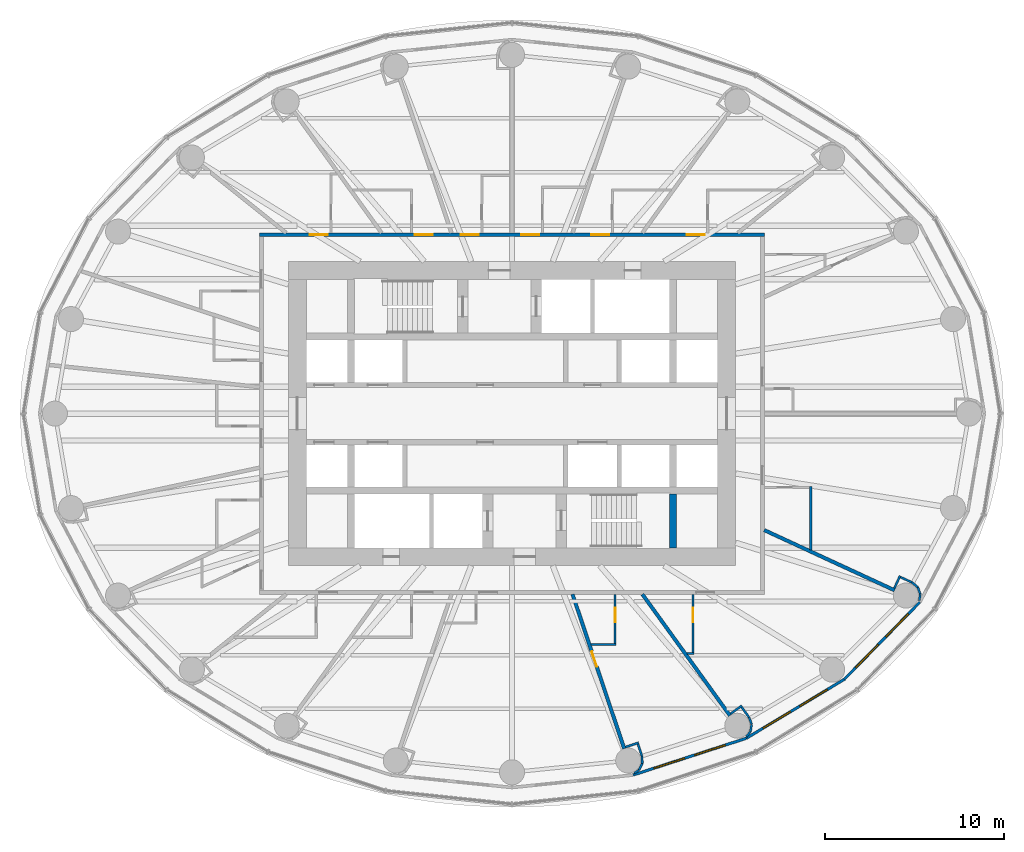
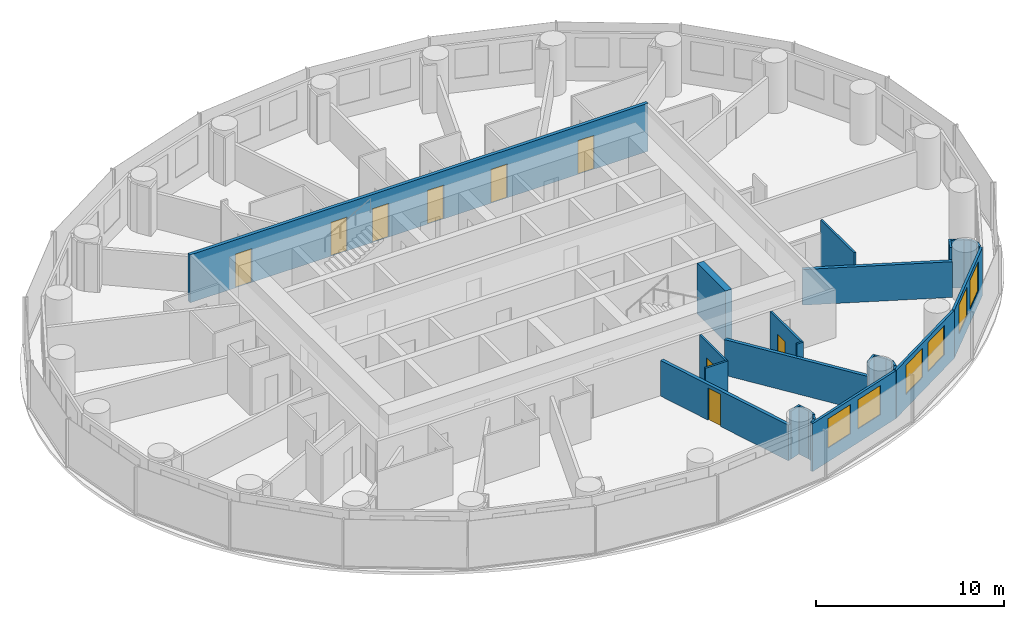
# One storey, part 9 of 13: 28 walls, 9 doors, 6 windows, 15 openings.
"""IFC4 building model written with IfcOpenShell, lengths in metres."""

from ifc_helpers import new_model, si_unit, direction, frame, frame_2d, origin, place, context, subcontext, project, spatial, rectangle, extrude, material, layer, layer_set, type_object, element, fill, save


model = new_model("IFC4")

# Units and contexts
model_context = context("Model", 3, precision=1e-05, world=origin(), true_north=direction((0.0, 1.0)))
body_context = subcontext(model_context, "Body", "Model", "MODEL_VIEW")
ifc_project = project(units=[si_unit("LENGTHUNIT", "METRE"), si_unit("AREAUNIT", "SQUARE_METRE"), si_unit("VOLUMEUNIT", "CUBIC_METRE"), si_unit("PLANEANGLEUNIT", "RADIAN"), si_unit("MASSUNIT", "GRAM", prefix="KILO")], contexts=[model_context])

# Site, building, storey
site_placement = place(None, origin())
site = spatial("IfcSite", under=ifc_project, at=site_placement, CompositionType="ELEMENT")
building_placement = place(site_placement, origin())
building = spatial("IfcBuilding", under=site, at=building_placement, Name="Hankou Lantern Tower", CompositionType="ELEMENT")
storey_placement = place(building_placement, frame((0.0, 0.0, 80.39990234375)))
storey = spatial("IfcBuildingStorey", under=building, at=storey_placement, Name="L20", CompositionType="ELEMENT", Elevation=80.39990234375)

# Wall
ifc_material_1 = material(Name="Concrete C60", Category="concrete")
ifc_layer_1 = layer(ifc_material_1, 0.39990234375)
ifc_layer_set_1 = layer_set([ifc_layer_1], Name="Concrete C60")
wall_type_1 = type_object("IfcWallType", Name="CW4 CORE CROSS WALL 400", PredefinedType="SHEAR", material=ifc_layer_set_1)
wall_1_placement = place(storey_placement, frame((9.0, -7.5, 0.0), z_axis=(0.0, 0.0, 1.0), x_axis=(0.0, 1.0, 0.0)))
element("IfcWall", 1, at=wall_1_placement, inside=storey, type_object=wall_type_1, Name="Core strip wall L20", PredefinedType="SHEAR", context=body_context, shape_type="SweptSolid", body=[
    extrude(rectangle(XDim=3.0, YDim=0.39990234375, at=frame_2d((1.5, 0.0))), origin(), (0.0, 0.0, 1.0), 3.300048828125),
])

# Wall, openings, windows
ifc_material_2 = material(Name="Aluminium spandrel panel on steel studs", Category="steel")
ifc_layer_2 = layer(ifc_material_2, 0.14990234375)
ifc_layer_set_2 = layer_set([ifc_layer_2], Name="Aluminium spandrel panel on steel studs")
wall_type_2 = type_object("IfcWallType", Name="EW1 INNER SKIN WALL 150", PredefinedType="ELEMENTEDWALL", material=ifc_layer_set_2)
wall_2_placement = place(storey_placement, frame((6.766357421875, -20.201904296875, 0.0), z_axis=(0.0, 0.0, 1.0), x_axis=(0.951137534625, 0.308767534285, 0.0)))
wall_2 = element("IfcWall", 2, at=wall_2_placement, inside=storey, type_object=wall_type_2, Name="Inner skin R20-R21 L20", PredefinedType="ELEMENTEDWALL", context=body_context, shape_type="SweptSolid", body=[
    extrude(rectangle(XDim=6.6552734375, YDim=0.14990234375, at=frame_2d((3.32763671875, 0.0))), origin(), (0.0, 0.0, 1.0), 3.1201171875),
])
opening_1_placement = place(wall_2_placement, frame((1.2275390625, 0.0, 0.89990234375)))
opening_1 = element("IfcOpeningElement", 3, at=opening_1_placement, cuts=wall_2, Name="Opening W1", PredefinedType="OPENING", context=body_context, shape_type="SweptSolid", body=[
    extrude(rectangle(XDim=1.800048828125, YDim=1.89990234375, at=frame_2d((0.89990234375, 0.949951171875))), frame((0.0, 0.0849609375, 0.0), z_axis=(0.0, -1.0, 0.0), x_axis=(1.0, 0.0, 0.0)), (0.0, 0.0, 1.0), 0.169921875),
])
opening_2_placement = place(wall_2_placement, frame((3.627685546875, 0.0, 0.89990234375)))
opening_2 = element("IfcOpeningElement", 4, at=opening_2_placement, cuts=wall_2, Name="Opening W1", PredefinedType="OPENING", context=body_context, shape_type="SweptSolid", body=[
    extrude(rectangle(XDim=1.800048828125, YDim=1.89990234375, at=frame_2d((0.89990234375, 0.949951171875))), frame((0.0, 0.0849609375, 0.0), z_axis=(0.0, -1.0, 0.0), x_axis=(1.0, 0.0, 0.0)), (0.0, 0.0, 1.0), 0.169921875),
])
ifc_material_3 = material(Name="Aluminium framed double glazed window", Category="aluminium")
window_type = type_object("IfcWindowType", Name="W1 GUEST ROOM WINDOW 1800X1900", PartitioningType="DOUBLE_PANEL_VERTICAL", PredefinedType="WINDOW", material=ifc_material_3)
window_1_placement = place(opening_1_placement, origin())
window_1 = element("IfcWindow", 5, at=window_1_placement, inside=storey, type_object=window_type, Name="Window R20.1 L20", OverallHeight=1.89990234375, OverallWidth=1.800048828125, PartitioningType="SINGLE_PANEL", PredefinedType="WINDOW", context=body_context, shape_type="SweptSolid", body=[
    extrude(rectangle(XDim=1.800048828125, YDim=1.89990234375, at=frame_2d((0.89990234375, 0.949951171875))), frame((0.0, 0.030029296875, 0.0), z_axis=(0.0, -1.0, 0.0), x_axis=(1.0, 0.0, 0.0)), (0.0, 0.0, 1.0), 0.06005859375),
])
fill(opening_1, window_1)
window_2_placement = place(opening_2_placement, origin())
window_2 = element("IfcWindow", 6, at=window_2_placement, inside=storey, type_object=window_type, Name="Window R20.2 L20", OverallHeight=1.89990234375, OverallWidth=1.800048828125, PartitioningType="SINGLE_PANEL", PredefinedType="WINDOW", context=body_context, shape_type="SweptSolid", body=[
    extrude(rectangle(XDim=1.800048828125, YDim=1.89990234375, at=frame_2d((0.89990234375, 0.949951171875))), frame((0.0, 0.030029296875, 0.0), z_axis=(0.0, -1.0, 0.0), x_axis=(1.0, 0.0, 0.0)), (0.0, 0.0, 1.0), 0.06005859375),
])
fill(opening_2, window_2)

wall_3_placement = place(storey_placement, frame((13.096435546875, -18.14697265625, 0.0), z_axis=(0.0, 0.0, 1.0), x_axis=(0.856983180864, 0.515344377787, 0.0)))
wall_3 = element("IfcWall", 7, at=wall_3_placement, inside=storey, type_object=wall_type_2, Name="Inner skin R21-R22 L20", PredefinedType="ELEMENTEDWALL", context=body_context, shape_type="SweptSolid", body=[
    extrude(rectangle(XDim=6.386474609375, YDim=0.14990234375, at=frame_2d((3.193359375, 0.0))), origin(), (0.0, 0.0, 1.0), 3.1201171875),
])
opening_3_placement = place(wall_3_placement, frame((1.09326171875, 0.0, 0.89990234375)))
opening_3 = element("IfcOpeningElement", 8, at=opening_3_placement, cuts=wall_3, Name="Opening W1", PredefinedType="OPENING", context=body_context, shape_type="SweptSolid", body=[
    extrude(rectangle(XDim=1.800048828125, YDim=1.89990234375, at=frame_2d((0.89990234375, 0.949951171875))), frame((0.0, 0.0849609375, 0.0), z_axis=(0.0, -1.0, 0.0), x_axis=(1.0, 0.0, 0.0)), (0.0, 0.0, 1.0), 0.169921875),
])
opening_4_placement = place(wall_3_placement, frame((3.4931640625, 0.0, 0.89990234375)))
opening_4 = element("IfcOpeningElement", 9, at=opening_4_placement, cuts=wall_3, Name="Opening W1", PredefinedType="OPENING", context=body_context, shape_type="SweptSolid", body=[
    extrude(rectangle(XDim=1.800048828125, YDim=1.89990234375, at=frame_2d((0.89990234375, 0.949951171875))), frame((0.0, 0.0849609375, 0.0), z_axis=(0.0, -1.0, 0.0), x_axis=(1.0, 0.0, 0.0)), (0.0, 0.0, 1.0), 0.169921875),
])
window_3_placement = place(opening_3_placement, origin())
window_3 = element("IfcWindow", 10, at=window_3_placement, inside=storey, type_object=window_type, Name="Window R21.1 L20", OverallHeight=1.89990234375, OverallWidth=1.800048828125, PartitioningType="SINGLE_PANEL", PredefinedType="WINDOW", context=body_context, shape_type="SweptSolid", body=[
    extrude(rectangle(XDim=1.800048828125, YDim=1.89990234375, at=frame_2d((0.89990234375, 0.949951171875))), frame((0.0, 0.030029296875, 0.0), z_axis=(0.0, -1.0, 0.0), x_axis=(1.0, 0.0, 0.0)), (0.0, 0.0, 1.0), 0.06005859375),
])
fill(opening_3, window_3)
window_4_placement = place(opening_4_placement, origin())
window_4 = element("IfcWindow", 11, at=window_4_placement, inside=storey, type_object=window_type, Name="Window R21.2 L20", OverallHeight=1.89990234375, OverallWidth=1.800048828125, PartitioningType="SINGLE_PANEL", PredefinedType="WINDOW", context=body_context, shape_type="SweptSolid", body=[
    extrude(rectangle(XDim=1.800048828125, YDim=1.89990234375, at=frame_2d((0.89990234375, 0.949951171875))), frame((0.0, 0.030029296875, 0.0), z_axis=(0.0, -1.0, 0.0), x_axis=(1.0, 0.0, 0.0)), (0.0, 0.0, 1.0), 0.06005859375),
])
fill(opening_4, window_4)

wall_4_placement = place(storey_placement, frame((18.569580078125, -14.855712890625, 0.0), z_axis=(0.0, 0.0, 1.0), x_axis=(0.699602905915, 0.714531856557, 0.0)))
wall_4 = element("IfcWall", 12, at=wall_4_placement, inside=storey, type_object=wall_type_2, Name="Inner skin R22-R23 L20", PredefinedType="ELEMENTEDWALL", context=body_context, shape_type="SweptSolid", body=[
    extrude(rectangle(XDim=6.05078125, YDim=0.14990234375, at=frame_2d((3.025390625, 0.0))), origin(), (0.0, 0.0, 1.0), 3.1201171875),
])
opening_5_placement = place(wall_4_placement, frame((0.925537109375, 0.0, 0.89990234375)))
opening_5 = element("IfcOpeningElement", 13, at=opening_5_placement, cuts=wall_4, Name="Opening W1", PredefinedType="OPENING", context=body_context, shape_type="SweptSolid", body=[
    extrude(rectangle(XDim=1.800048828125, YDim=1.89990234375, at=frame_2d((0.89990234375, 0.949951171875))), frame((0.0, 0.0849609375, 0.0), z_axis=(0.0, -1.0, 0.0), x_axis=(1.0, 0.0, 0.0)), (0.0, 0.0, 1.0), 0.169921875),
])
opening_6_placement = place(wall_4_placement, frame((3.325439453125, 0.0, 0.89990234375)))
opening_6 = element("IfcOpeningElement", 14, at=opening_6_placement, cuts=wall_4, Name="Opening W1", PredefinedType="OPENING", context=body_context, shape_type="SweptSolid", body=[
    extrude(rectangle(XDim=1.800048828125, YDim=1.89990234375, at=frame_2d((0.89990234375, 0.949951171875))), frame((0.0, 0.0849609375, 0.0), z_axis=(0.0, -1.0, 0.0), x_axis=(1.0, 0.0, 0.0)), (0.0, 0.0, 1.0), 0.169921875),
])
window_5_placement = place(opening_5_placement, origin())
window_5 = element("IfcWindow", 15, at=window_5_placement, inside=storey, type_object=window_type, Name="Window R22.1 L20", OverallHeight=1.89990234375, OverallWidth=1.800048828125, PartitioningType="SINGLE_PANEL", PredefinedType="WINDOW", context=body_context, shape_type="SweptSolid", body=[
    extrude(rectangle(XDim=1.800048828125, YDim=1.89990234375, at=frame_2d((0.89990234375, 0.949951171875))), frame((0.0, 0.030029296875, 0.0), z_axis=(0.0, -1.0, 0.0), x_axis=(1.0, 0.0, 0.0)), (0.0, 0.0, 1.0), 0.06005859375),
])
fill(opening_5, window_5)
window_6_placement = place(opening_6_placement, origin())
window_6 = element("IfcWindow", 16, at=window_6_placement, inside=storey, type_object=window_type, Name="Window R22.2 L20", OverallHeight=1.89990234375, OverallWidth=1.800048828125, PartitioningType="SINGLE_PANEL", PredefinedType="WINDOW", context=body_context, shape_type="SweptSolid", body=[
    extrude(rectangle(XDim=1.800048828125, YDim=1.89990234375, at=frame_2d((0.89990234375, 0.949951171875))), frame((0.0, 0.030029296875, 0.0), z_axis=(0.0, -1.0, 0.0), x_axis=(1.0, 0.0, 0.0)), (0.0, 0.0, 1.0), 0.06005859375),
])
fill(opening_6, window_6)

# Walls
ifc_material_4 = material(Name="Masonry lightweight concrete block", Category="masonry")
ifc_layer_3 = layer(ifc_material_4, 0.199951171875)
ifc_layer_set_3 = layer_set([ifc_layer_3], Name="Masonry lightweight concrete block")
wall_type_3 = type_object("IfcWallType", Name="IW1 GUEST ROOM PARTY WALL 200", PredefinedType="PARTITIONING", material=ifc_layer_set_3)
wall_5_placement = place(storey_placement, frame((7.2890625, -10.10009765625, 0.0), z_axis=(0.0, 0.0, 1.0), x_axis=(0.585198353053, -0.810890182197, 0.0)))
element("IfcWall", 17, at=wall_5_placement, inside=storey, type_object=wall_type_3, Name="Party wall R21", PredefinedType="PARTITIONING", context=body_context, shape_type="SweptSolid", body=[
    extrude(rectangle(XDim=8.359619140625, YDim=0.199951171875, at=frame_2d((4.1796875, 0.0))), origin(), (0.0, 0.0, 1.0), 2.320068359375),
])
wall_6_placement = place(storey_placement, frame((14.10009765625, -6.512451171875, 0.0), z_axis=(0.0, 0.0, 1.0), x_axis=(0.907832871056, -0.419332181247, 0.0)))
element("IfcWall", 18, at=wall_6_placement, inside=storey, type_object=wall_type_3, Name="Party wall R23", PredefinedType="PARTITIONING", context=body_context, shape_type="SweptSolid", body=[
    extrude(rectangle(XDim=8.02294921875, YDim=0.199951171875, at=frame_2d((4.011474609375, 0.0))), origin(), (0.0, 0.0, 1.0), 2.320068359375),
])

# Wall, openings, doors
ifc_material_5 = material(Name="Masonry lightweight concrete block", Category="masonry")
ifc_layer_4 = layer(ifc_material_5, 0.199951171875)
ifc_layer_set_4 = layer_set([ifc_layer_4], Name="Masonry lightweight concrete block")
wall_type_4 = type_object("IfcWallType", Name="IW2 CORRIDOR WALL 200", PredefinedType="PARTITIONING", material=ifc_layer_set_4)
wall_7_placement = place(storey_placement, frame((-14.10009765625, 10.0, 0.0), z_axis=(0.0, 0.0, 1.0), x_axis=(1.0, 0.0, 0.0)))
wall_7 = element("IfcWall", 19, at=wall_7_placement, inside=storey, type_object=wall_type_4, Name="Corridor wall north", PredefinedType="PARTITIONING", context=body_context, shape_type="SweptSolid", body=[
    extrude(rectangle(XDim=28.2001953125, YDim=0.199951171875, at=frame_2d((14.10009765625, 0.0))), origin(), (0.0, 0.0, 1.0), 3.1201171875),
])
opening_7_placement = place(wall_7_placement, frame((23.864990234375, 0.0, 0.0)))
opening_7 = element("IfcOpeningElement", 20, at=opening_7_placement, cuts=wall_7, Name="Opening D1", PredefinedType="OPENING", context=body_context, shape_type="SweptSolid", body=[
    extrude(rectangle(XDim=1.0, YDim=2.199951171875, at=frame_2d((0.5, 1.10009765625))), frame((0.0, 0.10986328125, 0.0), z_axis=(0.0, -1.0, 0.0), x_axis=(1.0, 0.0, 0.0)), (0.0, 0.0, 1.0), 0.219970703125),
])
opening_8_placement = place(wall_7_placement, frame((18.529052734375, 0.0, 0.0)))
opening_8 = element("IfcOpeningElement", 21, at=opening_8_placement, cuts=wall_7, Name="Opening D1", PredefinedType="OPENING", context=body_context, shape_type="SweptSolid", body=[
    extrude(rectangle(XDim=1.0, YDim=2.199951171875, at=frame_2d((0.5, 1.10009765625))), frame((0.0, 0.10986328125, 0.0), z_axis=(0.0, -1.0, 0.0), x_axis=(1.0, 0.0, 0.0)), (0.0, 0.0, 1.0), 0.219970703125),
])
opening_9_placement = place(wall_7_placement, frame((14.622802734375, 0.0, 0.0)))
opening_9 = element("IfcOpeningElement", 22, at=opening_9_placement, cuts=wall_7, Name="Opening D1", PredefinedType="OPENING", context=body_context, shape_type="SweptSolid", body=[
    extrude(rectangle(XDim=1.0, YDim=2.199951171875, at=frame_2d((0.5, 1.10009765625))), frame((0.0, 0.10986328125, 0.0), z_axis=(0.0, -1.0, 0.0), x_axis=(1.0, 0.0, 0.0)), (0.0, 0.0, 1.0), 0.219970703125),
])
opening_10_placement = place(wall_7_placement, frame((11.239990234375, 0.0, 0.0)))
opening_10 = element("IfcOpeningElement", 23, at=opening_10_placement, cuts=wall_7, Name="Opening D1", PredefinedType="OPENING", context=body_context, shape_type="SweptSolid", body=[
    extrude(rectangle(XDim=1.0, YDim=2.199951171875, at=frame_2d((0.5, 1.10009765625))), frame((0.0, 0.10986328125, 0.0), z_axis=(0.0, -1.0, 0.0), x_axis=(1.0, 0.0, 0.0)), (0.0, 0.0, 1.0), 0.219970703125),
])
opening_11_placement = place(wall_7_placement, frame((8.6708984375, 0.0, 0.0)))
opening_11 = element("IfcOpeningElement", 24, at=opening_11_placement, cuts=wall_7, Name="Opening D1", PredefinedType="OPENING", context=body_context, shape_type="SweptSolid", body=[
    extrude(rectangle(XDim=1.0, YDim=2.199951171875, at=frame_2d((0.5, 1.10009765625))), frame((0.0, 0.10986328125, 0.0), z_axis=(0.0, -1.0, 0.0), x_axis=(1.0, 0.0, 0.0)), (0.0, 0.0, 1.0), 0.219970703125),
])
opening_12_placement = place(wall_7_placement, frame((2.801025390625, 0.0, 0.0)))
opening_12 = element("IfcOpeningElement", 25, at=opening_12_placement, cuts=wall_7, Name="Opening D1", PredefinedType="OPENING", context=body_context, shape_type="SweptSolid", body=[
    extrude(rectangle(XDim=1.0, YDim=2.199951171875, at=frame_2d((0.5, 1.10009765625))), frame((0.0, 0.10986328125, 0.0), z_axis=(0.0, -1.0, 0.0), x_axis=(1.0, 0.0, 0.0)), (0.0, 0.0, 1.0), 0.219970703125),
])
ifc_material_6 = material(Name="Steel door leaf", Category="steel")
door_type_1 = type_object("IfcDoorType", Name="D1 GUEST ROOM DOOR 1000X2200", OperationType="SINGLE_SWING_LEFT", PredefinedType="DOOR", material=ifc_material_6)
door_1_placement = place(opening_7_placement, origin())
door_1 = element("IfcDoor", 26, at=door_1_placement, inside=storey, type_object=door_type_1, Name="Guest room door 2011", OperationType="SINGLE_SWING_RIGHT", OverallHeight=2.199951171875, OverallWidth=1.0, PredefinedType="DOOR", context=body_context, shape_type="SweptSolid", body=[
    extrude(rectangle(XDim=1.0, YDim=2.199951171875, at=frame_2d((0.5, 1.10009765625))), frame((0.0, 0.02490234375, 0.0), z_axis=(0.0, -1.0, 0.0), x_axis=(1.0, 0.0, 0.0)), (0.0, 0.0, 1.0), 0.050048828125),
])
fill(opening_7, door_1)
door_2_placement = place(opening_8_placement, origin())
door_2 = element("IfcDoor", 27, at=door_2_placement, inside=storey, type_object=door_type_1, Name="Guest room door 2012", OperationType="SINGLE_SWING_RIGHT", OverallHeight=2.199951171875, OverallWidth=1.0, PredefinedType="DOOR", context=body_context, shape_type="SweptSolid", body=[
    extrude(rectangle(XDim=1.0, YDim=2.199951171875, at=frame_2d((0.5, 1.10009765625))), frame((0.0, 0.02490234375, 0.0), z_axis=(0.0, -1.0, 0.0), x_axis=(1.0, 0.0, 0.0)), (0.0, 0.0, 1.0), 0.050048828125),
])
fill(opening_8, door_2)
door_3_placement = place(opening_9_placement, origin())
door_3 = element("IfcDoor", 28, at=door_3_placement, inside=storey, type_object=door_type_1, Name="Guest room door 2013", OperationType="SINGLE_SWING_RIGHT", OverallHeight=2.199951171875, OverallWidth=1.0, PredefinedType="DOOR", context=body_context, shape_type="SweptSolid", body=[
    extrude(rectangle(XDim=1.0, YDim=2.199951171875, at=frame_2d((0.5, 1.10009765625))), frame((0.0, 0.02490234375, 0.0), z_axis=(0.0, -1.0, 0.0), x_axis=(1.0, 0.0, 0.0)), (0.0, 0.0, 1.0), 0.050048828125),
])
fill(opening_9, door_3)
door_4_placement = place(opening_10_placement, origin())
door_4 = element("IfcDoor", 29, at=door_4_placement, inside=storey, type_object=door_type_1, Name="Guest room door 2014", OperationType="SINGLE_SWING_RIGHT", OverallHeight=2.199951171875, OverallWidth=1.0, PredefinedType="DOOR", context=body_context, shape_type="SweptSolid", body=[
    extrude(rectangle(XDim=1.0, YDim=2.199951171875, at=frame_2d((0.5, 1.10009765625))), frame((0.0, 0.02490234375, 0.0), z_axis=(0.0, -1.0, 0.0), x_axis=(1.0, 0.0, 0.0)), (0.0, 0.0, 1.0), 0.050048828125),
])
fill(opening_10, door_4)
door_5_placement = place(opening_11_placement, origin())
door_5 = element("IfcDoor", 30, at=door_5_placement, inside=storey, type_object=door_type_1, Name="Guest room door 2015", OperationType="SINGLE_SWING_LEFT", OverallHeight=2.199951171875, OverallWidth=1.0, PredefinedType="DOOR", context=body_context, shape_type="SweptSolid", body=[
    extrude(rectangle(XDim=1.0, YDim=2.199951171875, at=frame_2d((0.5, 1.10009765625))), frame((0.0, 0.02490234375, 0.0), z_axis=(0.0, -1.0, 0.0), x_axis=(1.0, 0.0, 0.0)), (0.0, 0.0, 1.0), 0.050048828125),
])
fill(opening_11, door_5)
door_6_placement = place(opening_12_placement, origin())
door_6 = element("IfcDoor", 31, at=door_6_placement, inside=storey, type_object=door_type_1, Name="Guest room door 2016", OperationType="SINGLE_SWING_RIGHT", OverallHeight=2.199951171875, OverallWidth=1.0, PredefinedType="DOOR", context=body_context, shape_type="SweptSolid", body=[
    extrude(rectangle(XDim=1.0, YDim=2.199951171875, at=frame_2d((0.5, 1.10009765625))), frame((0.0, 0.02490234375, 0.0), z_axis=(0.0, -1.0, 0.0), x_axis=(1.0, 0.0, 0.0)), (0.0, 0.0, 1.0), 0.050048828125),
])
fill(opening_12, door_6)

# Wall
ifc_material_7 = material(Name="Masonry lightweight concrete block", Category="masonry")
ifc_layer_5 = layer(ifc_material_7, 0.1201171875)
ifc_layer_set_5 = layer_set([ifc_layer_5], Name="Masonry lightweight concrete block")
wall_type_5 = type_object("IfcWallType", Name="IW3 BATHROOM WALL 120", PredefinedType="PARTITIONING", material=ifc_layer_set_5)
wall_8_placement = place(storey_placement, frame((4.420654296875, -12.89990234375, 0.0), z_axis=(0.0, 0.0, 1.0), x_axis=(1.0, 0.0, 0.0)))
element("IfcWall", 32, at=wall_8_placement, inside=storey, type_object=wall_type_5, Name="Box wall 2007A 1", PredefinedType="PARTITIONING", context=body_context, shape_type="SweptSolid", body=[
    extrude(rectangle(XDim=1.402099609375, YDim=0.1201171875, at=frame_2d((0.701171875, 0.0))), origin(), (0.0, 0.0, 1.0), 3.1201171875),
])

# Wall, opening, door
wall_9_placement = place(storey_placement, frame((5.762939453125, -10.10009765625, 0.0), z_axis=(0.0, 0.0, 1.0), x_axis=(0.0, -1.0, 0.0)))
wall_9 = element("IfcWall", 33, at=wall_9_placement, inside=storey, type_object=wall_type_5, Name="Box wall 2007A 1", PredefinedType="PARTITIONING", context=body_context, shape_type="SweptSolid", body=[
    extrude(rectangle(XDim=2.739990234375, YDim=0.1201171875, at=frame_2d((1.3701171875, 0.0))), origin(), (0.0, 0.0, 1.0), 3.1201171875),
])
opening_13_placement = place(wall_9_placement, frame((0.75, 0.0, 0.0)))
opening_13 = element("IfcOpeningElement", 34, at=opening_13_placement, cuts=wall_9, Name="Opening D3", PredefinedType="OPENING", context=body_context, shape_type="SweptSolid", body=[
    extrude(rectangle(XDim=0.800048828125, YDim=2.10009765625, at=frame_2d((0.39990234375, 1.050048828125))), frame((0.0, 0.070068359375, 0.0), z_axis=(0.0, -1.0, 0.0), x_axis=(1.0, 0.0, 0.0)), (0.0, 0.0, 1.0), 0.14013671875),
])
ifc_material_8 = material(Name="Timber door leaf", Category="wood")
door_type_2 = type_object("IfcDoorType", Name="D3 BATHROOM DOOR 800X2100", OperationType="SINGLE_SWING_LEFT", PredefinedType="DOOR", material=ifc_material_8)
door_7_placement = place(opening_13_placement, origin())
door_7 = element("IfcDoor", 35, at=door_7_placement, inside=storey, type_object=door_type_2, Name="Corner suite 2007 bathroom door", OperationType="SINGLE_SWING_LEFT", OverallHeight=2.10009765625, OverallWidth=0.800048828125, PredefinedType="DOOR", context=body_context, shape_type="SweptSolid", body=[
    extrude(rectangle(XDim=0.800048828125, YDim=2.10009765625, at=frame_2d((0.39990234375, 1.050048828125))), frame((0.0, 0.02490234375, 0.0), z_axis=(0.0, -1.0, 0.0), x_axis=(1.0, 0.0, 0.0)), (0.0, 0.0, 1.0), 0.050048828125),
])
fill(opening_13, door_7)

# Wall
wall_10_placement = place(storey_placement, frame((9.7705078125, -13.39990234375, 0.0), z_axis=(0.0, 0.0, 1.0), x_axis=(1.0, 0.0, 0.0)))
element("IfcWall", 36, at=wall_10_placement, inside=storey, type_object=wall_type_5, Name="Box wall 2008 1", PredefinedType="PARTITIONING", context=body_context, shape_type="SweptSolid", body=[
    extrude(rectangle(XDim=0.408447265625, YDim=0.1201171875, at=frame_2d((0.2041015625, 0.0))), origin(), (0.0, 0.0, 1.0), 3.1201171875),
])

# Wall, opening, door
wall_11_placement = place(storey_placement, frame((10.119140625, -10.10009765625, 0.0), z_axis=(0.0, 0.0, 1.0), x_axis=(0.0, -1.0, 0.0)))
wall_11 = element("IfcWall", 37, at=wall_11_placement, inside=storey, type_object=wall_type_5, Name="Box wall 2008 1", PredefinedType="PARTITIONING", context=body_context, shape_type="SweptSolid", body=[
    extrude(rectangle(XDim=3.239990234375, YDim=0.1201171875, at=frame_2d((1.6201171875, 0.0))), origin(), (0.0, 0.0, 1.0), 3.1201171875),
])
opening_14_placement = place(wall_11_placement, frame((0.75, 0.0, 0.0)))
opening_14 = element("IfcOpeningElement", 38, at=opening_14_placement, cuts=wall_11, Name="Opening D3", PredefinedType="OPENING", context=body_context, shape_type="SweptSolid", body=[
    extrude(rectangle(XDim=0.800048828125, YDim=2.10009765625, at=frame_2d((0.39990234375, 1.050048828125))), frame((0.0, 0.070068359375, 0.0), z_axis=(0.0, -1.0, 0.0), x_axis=(1.0, 0.0, 0.0)), (0.0, 0.0, 1.0), 0.14013671875),
])
door_8_placement = place(opening_14_placement, origin())
door_8 = element("IfcDoor", 39, at=door_8_placement, inside=storey, type_object=door_type_2, Name="Junior suite 2008 bathroom door", OperationType="SINGLE_SWING_LEFT", OverallHeight=2.10009765625, OverallWidth=0.800048828125, PredefinedType="DOOR", context=body_context, shape_type="SweptSolid", body=[
    extrude(rectangle(XDim=0.800048828125, YDim=2.10009765625, at=frame_2d((0.39990234375, 1.050048828125))), frame((0.0, 0.02490234375, 0.0), z_axis=(0.0, -1.0, 0.0), x_axis=(1.0, 0.0, 0.0)), (0.0, 0.0, 1.0), 0.050048828125),
])
fill(opening_14, door_8)

# Walls
wall_12_placement = place(storey_placement, frame((16.699951171875, -7.61328125, 0.0), z_axis=(0.0, 0.0, 1.0), x_axis=(0.0, 1.0, 0.0)))
element("IfcWall", 40, at=wall_12_placement, inside=storey, type_object=wall_type_5, Name="Box wall 2009 1", PredefinedType="PARTITIONING", context=body_context, shape_type="SweptSolid", body=[
    extrude(rectangle(XDim=3.540771484375, YDim=0.1201171875, at=frame_2d((1.7705078125, 0.0))), origin(), (0.0, 0.0, 1.0), 3.1201171875),
])
ifc_material_9 = material(Name="Masonry lightweight concrete block", Category="masonry")
ifc_layer_6 = layer(ifc_material_9, 0.1201171875)
ifc_layer_set_6 = layer_set([ifc_layer_6], Name="Masonry lightweight concrete block")
wall_type_6 = type_object("IfcWallType", Name="IW4 PARTITION 120", PredefinedType="PARTITIONING", material=ifc_layer_set_6)
wall_13_placement = place(storey_placement, frame((6.348388671875, -18.638916015625, 0.0), z_axis=(0.0, 0.0, 1.0), x_axis=(0.948268951266, 0.317468102437, 0.0)))
element("IfcWall", 41, at=wall_13_placement, inside=storey, type_object=wall_type_6, Name="Column casing R20 return", PredefinedType="PARTITIONING", context=body_context, shape_type="SweptSolid", body=[
    extrude(rectangle(XDim=0.767578125, YDim=0.1201171875, at=frame_2d((0.3837890625, 0.0))), origin(), (0.0, 0.0, 1.0), 3.1201171875),
])
wall_14_placement = place(storey_placement, frame((7.038330078125, -18.47119140625, 0.0), z_axis=(0.0, 0.0, 1.0), x_axis=(0.317378466199, -0.9482989556, 0.0)))
element("IfcWall", 42, at=wall_14_placement, inside=storey, type_object=wall_type_6, Name="Column casing R20", PredefinedType="PARTITIONING", context=body_context, shape_type="SweptSolid", body=[
    extrude(rectangle(XDim=0.699951171875, YDim=0.1201171875, at=frame_2d((0.35009765625, 0.0))), origin(), (0.0, 0.0, 1.0), 3.1201171875),
])
wall_15_placement = place(storey_placement, frame((7.260498046875, -19.135009765625, 0.0), z_axis=(0.0, 0.0, 1.0), x_axis=(0.0613238046, -0.99811792439, 0.0)))
element("IfcWall", 43, at=wall_15_placement, inside=storey, type_object=wall_type_6, Name="Column casing R20", PredefinedType="PARTITIONING", context=body_context, shape_type="SweptSolid", body=[
    extrude(rectangle(XDim=0.41796875, YDim=0.1201171875, at=frame_2d((0.208984375, 0.0))), origin(), (0.0, 0.0, 1.0), 3.1201171875),
])
wall_16_placement = place(storey_placement, frame((7.2861328125, -19.55224609375, 0.0), z_axis=(0.0, 0.0, 1.0), x_axis=(-0.445810757773, -0.89512723579, 0.0)))
element("IfcWall", 44, at=wall_16_placement, inside=storey, type_object=wall_type_6, Name="Column casing R20", PredefinedType="PARTITIONING", context=body_context, shape_type="SweptSolid", body=[
    extrude(rectangle(XDim=0.417724609375, YDim=0.1201171875, at=frame_2d((0.208984375, 0.0))), origin(), (0.0, 0.0, 1.0), 3.1201171875),
])
wall_17_placement = place(storey_placement, frame((7.099853515625, -19.92626953125, 0.0), z_axis=(0.0, 0.0, 1.0), x_axis=(-0.833488262509, -0.552537162787, 0.0)))
element("IfcWall", 45, at=wall_17_placement, inside=storey, type_object=wall_type_6, Name="Column casing R20", PredefinedType="PARTITIONING", context=body_context, shape_type="SweptSolid", body=[
    extrude(rectangle(XDim=0.312744140625, YDim=0.1201171875, at=frame_2d((0.15625, 0.0))), origin(), (0.0, 0.0, 1.0), 3.1201171875),
])
wall_18_placement = place(storey_placement, frame((12.227294921875, -16.771728515625, 0.0), z_axis=(0.0, 0.0, 1.0), x_axis=(0.810821798253, 0.585293098778, 0.0)))
element("IfcWall", 46, at=wall_18_placement, inside=storey, type_object=wall_type_6, Name="Column casing R21 return", PredefinedType="PARTITIONING", context=body_context, shape_type="SweptSolid", body=[
    extrude(rectangle(XDim=0.767578125, YDim=0.1201171875, at=frame_2d((0.3837890625, 0.0))), origin(), (0.0, 0.0, 1.0), 3.1201171875),
])
wall_19_placement = place(storey_placement, frame((12.8359375, -16.40625, 0.0), z_axis=(0.0, 0.0, 1.0), x_axis=(0.585223113993, -0.810872312296, 0.0)))
element("IfcWall", 47, at=wall_19_placement, inside=storey, type_object=wall_type_6, Name="Column casing R21", PredefinedType="PARTITIONING", context=body_context, shape_type="SweptSolid", body=[
    extrude(rectangle(XDim=0.699951171875, YDim=0.1201171875, at=frame_2d((0.35009765625, 0.0))), origin(), (0.0, 0.0, 1.0), 3.1201171875),
])
wall_20_placement = place(storey_placement, frame((13.24560546875, -16.973876953125, 0.0), z_axis=(0.0, 0.0, 1.0), x_axis=(0.355728122235, -0.934589483705, 0.0)))
element("IfcWall", 48, at=wall_20_placement, inside=storey, type_object=wall_type_6, Name="Column casing R21", PredefinedType="PARTITIONING", context=body_context, shape_type="SweptSolid", body=[
    extrude(rectangle(XDim=0.41796875, YDim=0.1201171875, at=frame_2d((0.208984375, 0.0))), origin(), (0.0, 0.0, 1.0), 3.1201171875),
])
wall_21_placement = place(storey_placement, frame((13.394287109375, -17.364501953125, 0.0), z_axis=(0.0, 0.0, 1.0), x_axis=(-0.159379276926, -0.987217425943, 0.0)))
element("IfcWall", 49, at=wall_21_placement, inside=storey, type_object=wall_type_6, Name="Column casing R21", PredefinedType="PARTITIONING", context=body_context, shape_type="SweptSolid", body=[
    extrude(rectangle(XDim=0.418212890625, YDim=0.1201171875, at=frame_2d((0.208984375, 0.0))), origin(), (0.0, 0.0, 1.0), 3.1201171875),
])
wall_22_placement = place(storey_placement, frame((13.32763671875, -17.77734375, 0.0), z_axis=(0.0, 0.0, 1.0), x_axis=(-0.632276783541, -0.774742582407, 0.0)))
element("IfcWall", 50, at=wall_22_placement, inside=storey, type_object=wall_type_6, Name="Column casing R21", PredefinedType="PARTITIONING", context=body_context, shape_type="SweptSolid", body=[
    extrude(rectangle(XDim=0.35986328125, YDim=0.1201171875, at=frame_2d((0.179931640625, 0.0))), origin(), (0.0, 0.0, 1.0), 3.1201171875),
])
wall_23_placement = place(storey_placement, frame((21.37109375, -9.7607421875, 0.0), z_axis=(0.0, 0.0, 1.0), x_axis=(0.419259891039, 0.907866258744, 0.0)))
element("IfcWall", 51, at=wall_23_placement, inside=storey, type_object=wall_type_6, Name="Column casing R23 return", PredefinedType="PARTITIONING", context=body_context, shape_type="SweptSolid", body=[
    extrude(rectangle(XDim=0.767578125, YDim=0.1201171875, at=frame_2d((0.3837890625, 0.0))), origin(), (0.0, 0.0, 1.0), 3.1201171875),
])
wall_24_placement = place(storey_placement, frame((21.72216796875, -9.1435546875, 0.0), z_axis=(0.0, 0.0, 1.0), x_axis=(0.907877701396, -0.419235112208, 0.0)))
element("IfcWall", 52, at=wall_24_placement, inside=storey, type_object=wall_type_6, Name="Column casing R23", PredefinedType="PARTITIONING", context=body_context, shape_type="SweptSolid", body=[
    extrude(rectangle(XDim=0.699951171875, YDim=0.1201171875, at=frame_2d((0.35009765625, 0.0))), origin(), (0.0, 0.0, 1.0), 3.1201171875),
])
wall_25_placement = place(storey_placement, frame((22.357666015625, -9.43701171875, 0.0), z_axis=(0.0, 0.0, 1.0), x_axis=(0.768412687942, -0.639954639806, 0.0)))
element("IfcWall", 53, at=wall_25_placement, inside=storey, type_object=wall_type_6, Name="Column casing R23", PredefinedType="PARTITIONING", context=body_context, shape_type="SweptSolid", body=[
    extrude(rectangle(XDim=0.418212890625, YDim=0.1201171875, at=frame_2d((0.208984375, 0.0))), origin(), (0.0, 0.0, 1.0), 3.1201171875),
])
wall_26_placement = place(storey_placement, frame((22.678955078125, -9.70458984375, 0.0), z_axis=(0.0, 0.0, 1.0), x_axis=(0.345164001646, -0.938542386879, 0.0)))
element("IfcWall", 54, at=wall_26_placement, inside=storey, type_object=wall_type_6, Name="Column casing R23", PredefinedType="PARTITIONING", context=body_context, shape_type="SweptSolid", body=[
    extrude(rectangle(XDim=0.41796875, YDim=0.1201171875, at=frame_2d((0.208984375, 0.0))), origin(), (0.0, 0.0, 1.0), 3.1201171875),
])
wall_27_placement = place(storey_placement, frame((22.8232421875, -10.096923828125, 0.0), z_axis=(0.0, 0.0, 1.0), x_axis=(-0.169674995186, -0.985500074079, 0.0)))
element("IfcWall", 55, at=wall_27_placement, inside=storey, type_object=wall_type_6, Name="Column casing R23", PredefinedType="PARTITIONING", context=body_context, shape_type="SweptSolid", body=[
    extrude(rectangle(XDim=0.3525390625, YDim=0.1201171875, at=frame_2d((0.17626953125, 0.0))), origin(), (0.0, 0.0, 1.0), 3.1201171875),
])

# Wall, opening, door
ifc_material_10 = material(Name="Masonry lightweight concrete block", Category="masonry")
ifc_layer_7 = layer(ifc_material_10, 0.199951171875)
ifc_layer_set_7 = layer_set([ifc_layer_7], Name="Masonry lightweight concrete block")
wall_type_7 = type_object("IfcWallType", Name="IW6 SUITE PARTITION 200", PredefinedType="PARTITIONING", material=ifc_layer_set_7)
wall_28_placement = place(storey_placement, frame((3.3828125, -10.10009765625, 0.0), z_axis=(0.0, 0.0, 1.0), x_axis=(0.31759592231, -0.948226149256, 0.0)))
wall_28 = element("IfcWall", 56, at=wall_28_placement, inside=storey, type_object=wall_type_7, Name="Suite partition R20", PredefinedType="PARTITIONING", context=body_context, shape_type="SweptSolid", body=[
    extrude(rectangle(XDim=9.098388671875, YDim=0.199951171875, at=frame_2d((4.54931640625, 0.0))), origin(), (0.0, 0.0, 1.0), 2.320068359375),
])
opening_15_placement = place(wall_28_placement, frame((3.3701171875, 0.0, 0.0)))
opening_15 = element("IfcOpeningElement", 57, at=opening_15_placement, cuts=wall_28, Name="Opening D27", PredefinedType="OPENING", context=body_context, shape_type="SweptSolid", body=[
    extrude(rectangle(XDim=0.89990234375, YDim=2.10009765625, at=frame_2d((0.449951171875, 1.050048828125))), frame((0.0, 0.10986328125, 0.0), z_axis=(0.0, -1.0, 0.0), x_axis=(1.0, 0.0, 0.0)), (0.0, 0.0, 1.0), 0.219970703125),
])
ifc_material_11 = material(Name="Timber door leaf", Category="wood")
door_type_3 = type_object("IfcDoorType", Name="D27 INTERNAL DOOR 900X2100", OperationType="SINGLE_SWING_LEFT", PredefinedType="DOOR", material=ifc_material_11)
door_9_placement = place(opening_15_placement, origin())
door_9 = element("IfcDoor", 58, at=door_9_placement, inside=storey, type_object=door_type_3, Name="Corner suite 2007 bedroom door", OperationType="SINGLE_SWING_LEFT", OverallHeight=2.10009765625, OverallWidth=0.89990234375, PredefinedType="DOOR", context=body_context, shape_type="SweptSolid", body=[
    extrude(rectangle(XDim=0.89990234375, YDim=2.10009765625, at=frame_2d((0.449951171875, 1.050048828125))), frame((0.0, 0.02490234375, 0.0), z_axis=(0.0, -1.0, 0.0), x_axis=(1.0, 0.0, 0.0)), (0.0, 0.0, 1.0), 0.050048828125),
])
fill(opening_15, door_9)

save(model, "model.ifc")
